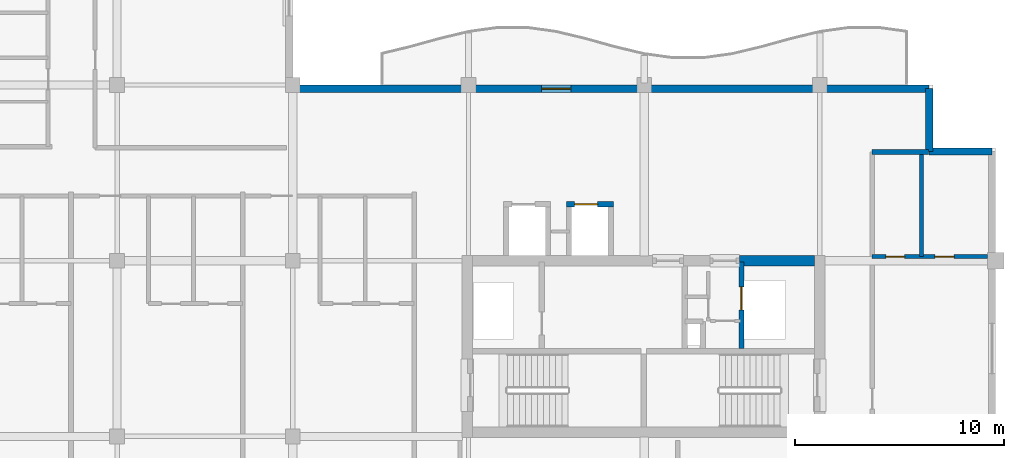
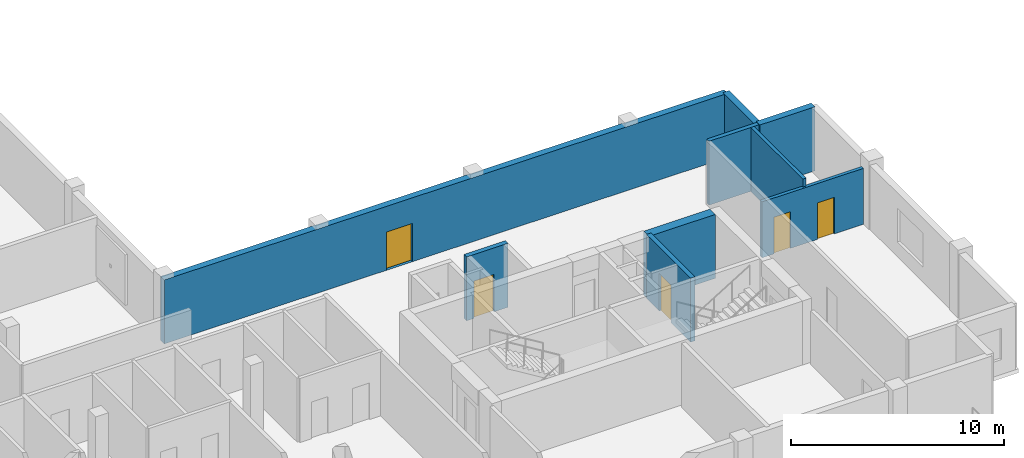
# One storey, part 5 of 11: 9 walls, 5 doors, 5 openings.
"""IFC4 building model written with IfcOpenShell, lengths in metres."""

from ifc_helpers import new_model, si_unit, direction, frame, frame_2d, origin, place, context, subcontext, project, spatial, rectangle, extrude, material, layer, layer_set, type_object, element, fill, save


model = new_model("IFC4")

# Units and contexts
model_context = context("Model", 3, precision=1e-05, world=origin(), true_north=direction((0.0, 1.0)))
body_context = subcontext(model_context, "Body", "Model", "MODEL_VIEW")
ifc_project = project(units=[si_unit("LENGTHUNIT", "METRE"), si_unit("AREAUNIT", "SQUARE_METRE"), si_unit("VOLUMEUNIT", "CUBIC_METRE"), si_unit("PLANEANGLEUNIT", "RADIAN"), si_unit("MASSUNIT", "GRAM", prefix="KILO")], contexts=[model_context])

# Site, building, storey
site_placement = place(None, origin())
site = spatial("IfcSite", under=ifc_project, at=site_placement, CompositionType="ELEMENT")
building_placement = place(site_placement, origin())
building = spatial("IfcBuilding", under=site, at=building_placement, Name="Koriwani Terraces Tower", CompositionType="ELEMENT")
storey_placement = place(building_placement, frame((0.0, 0.0, 312.5)))
storey = spatial("IfcBuildingStorey", under=building, at=storey_placement, Name="L77", CompositionType="ELEMENT", Elevation=312.5)

# Walls
ifc_material_1 = material(Name="Concrete C50/60", Category="concrete")
ifc_layer_1 = layer(ifc_material_1, 0.5, Name="Concrete C50/60")
ifc_layer_set_1 = layer_set([ifc_layer_1], Name="Concrete C50/60")
wall_type_1 = type_object("IfcWallType", Name="WALL_CORE_RC_500", PredefinedType="SHEAR", material=ifc_layer_set_1)
wall_1_placement = place(storey_placement, frame((54.949951171875, 25.199951171875, 0.0), z_axis=(0.0, 0.0, 1.0), x_axis=(1.0, 0.0, 0.0)))
element("IfcWall", 1, at=wall_1_placement, inside=storey, type_object=wall_type_1, Name="L77 East Split Core Shear Wall N3", PredefinedType="SHEAR", context=body_context, shape_type="SweptSolid", body=[
    extrude(rectangle(XDim=3.60009765625, YDim=0.5, at=frame_2d((1.800048828125, 0.0))), origin(), (0.0, 0.0, 1.0), 3.669921875),
])
ifc_material_2 = material(Name="Autoclaved Cellular Concrete Blockwork", Category="masonry")
ifc_layer_2 = layer(ifc_material_2, 0.219970703125, Name="Autoclaved Cellular Concrete Blockwork")
ifc_layer_set_2 = layer_set([ifc_layer_2], Name="Autoclaved Cellular Concrete Blockwork")
wall_type_2 = type_object("IfcWallType", Name="WALL_DEMISING_220", PredefinedType="PARTITIONING", material=ifc_layer_set_2)
wall_2_placement = place(storey_placement, frame((61.300048828125, 30.39990234375, 0.0), z_axis=(0.0, 0.0, 1.0), x_axis=(1.0, 0.0, 0.0)))
element("IfcWall", 2, at=wall_2_placement, inside=storey, type_object=wall_type_2, Name="L77 Interior Wall WET-N-L77", PredefinedType="PARTITIONING", context=body_context, shape_type="SweptSolid", body=[
    extrude(rectangle(XDim=2.699951171875, YDim=0.219970703125, at=frame_2d((1.35009765625, 0.0))), origin(), (0.0, 0.0, 1.0), 3.669921875),
])

# Wall, opening, door
ifc_layer_3 = layer(ifc_material_1, 0.35009765625, Name="Concrete C50/60")
ifc_layer_set_3 = layer_set([ifc_layer_3], Name="Concrete C50/60")
wall_type_3 = type_object("IfcWallType", Name="WALL_EXT_BRUTALIST_350", PredefinedType="STANDARD", material=ifc_layer_set_3)
wall_3_placement = place(storey_placement, frame((33.425048828125, 33.425048828125, 0.0), z_axis=(0.0, 0.0, 1.0), x_axis=(1.0, 0.0, 0.0)))
wall_3 = element("IfcWall", 3, at=wall_3_placement, inside=storey, type_object=wall_type_3, Name="L77 Fair-Faced Brutalist Exterior Wall (NE)", PredefinedType="STANDARD", context=body_context, shape_type="SweptSolid", body=[
    extrude(rectangle(XDim=30.599853515625, YDim=0.35009765625, at=frame_2d((15.2998046875, 0.0))), origin(), (0.0, 0.0, 1.0), 3.669921875),
])
opening_1_placement = place(wall_3_placement, frame((12.074951171875, 0.0, 0.0)))
opening_1 = element("IfcOpeningElement", 4, at=opening_1_placement, cuts=wall_3, Name="Opening D-09", PredefinedType="OPENING", context=body_context, shape_type="SweptSolid", body=[
    extrude(rectangle(XDim=1.39990234375, YDim=2.199951171875, at=frame_2d((0.699951171875, 1.10009765625))), frame((0.0, 0.18505859375, 0.0), z_axis=(0.0, -1.0, 0.0), x_axis=(1.0, 0.0, 0.0)), (0.0, 0.0, 1.0), 0.3701171875),
])
ifc_material_3 = material(Name="Anodised Bronze Aluminium", Category="aluminium")
door_type_1 = type_object("IfcDoorType", Name="DOOR_BALCONY_GLAZED_1400X2200", OperationType="NOTDEFINED", PredefinedType="DOOR", material=ifc_material_3)
door_1_placement = place(opening_1_placement, origin())
door_1 = element("IfcDoor", 5, at=door_1_placement, inside=storey, type_object=door_type_1, Name="L77 Inner Court Balcony Glazed Door", OperationType="SINGLE_SWING_LEFT", OverallHeight=2.199951171875, OverallWidth=1.39990234375, PredefinedType="DOOR", context=body_context, shape_type="SweptSolid", body=[
    extrude(rectangle(XDim=1.39990234375, YDim=2.199951171875, at=frame_2d((0.699951171875, 1.10009765625))), frame((0.0, 0.02490234375, 0.0), z_axis=(0.0, -1.0, 0.0), x_axis=(1.0, 0.0, 0.0)), (0.0, 0.0, 1.0), 0.050048828125),
])
fill(opening_1, door_1)

# Walls
for number, where, z_axis, x_axis, name in (
    (6, (64.02490234375, 33.425048828125, 0.0), (0.0, 0.0, 1.0), (0.0, -1.0, 0.0), "L77 Fair-Faced Brutalist Exterior Wall (N10)"),
    (7, (64.02490234375, 30.425048828125, 0.0), (0.0, 0.0, 1.0), (1.0, 0.0, 0.0), "L77 Fair-Faced Brutalist Exterior Wall (N11)"),
):
    element("IfcWall", number, at=place(storey_placement, frame(where, z_axis=z_axis, x_axis=x_axis)), inside=storey, type_object=wall_type_3, Name=name, PredefinedType="STANDARD", context=body_context, shape_type="SweptSolid", body=[
        extrude(rectangle(XDim=3.0, YDim=0.35009765625, at=frame_2d((1.5, 0.0))), origin(), (0.0, 0.0, 1.0), 3.669921875),
    ])

# Wall, openings, doors
ifc_material_4 = material(Name="Fire-Rated Acoustic Gypsum Partition", Category="masonry")
ifc_layer_4 = layer(ifc_material_4, 0.179931640625, Name="Fire-Rated Acoustic Gypsum Partition")
ifc_layer_set_4 = layer_set([ifc_layer_4], Name="Fire-Rated Acoustic Gypsum Partition")
wall_type_4 = type_object("IfcWallType", Name="WALL_PLUMBING_180", PredefinedType="PLUMBINGWALL", material=ifc_layer_set_4)
wall_4_placement = place(storey_placement, frame((61.300048828125, 25.39990234375, 0.0), z_axis=(0.0, 0.0, 1.0), x_axis=(1.0, 0.0, 0.0)))
wall_4 = element("IfcWall", 8, at=wall_4_placement, inside=storey, type_object=wall_type_4, Name="L77 Interior Wall WET-SVB-L77", PredefinedType="PLUMBINGWALL", context=body_context, shape_type="SweptSolid", body=[
    extrude(rectangle(XDim=5.5, YDim=0.179931640625, at=frame_2d((2.75, 0.0))), origin(), (0.0, 0.0, 1.0), 3.20703125),
])
opening_2_placement = place(wall_4_placement, frame((0.64990234375, 0.0, 0.0)))
opening_2 = element("IfcOpeningElement", 9, at=opening_2_placement, cuts=wall_4, Name="Opening D-07", PredefinedType="OPENING", context=body_context, shape_type="SweptSolid", body=[
    extrude(rectangle(XDim=0.89990234375, YDim=2.10009765625, at=frame_2d((0.449951171875, 1.050048828125))), frame((0.0, 0.10009765625, 0.0), z_axis=(0.0, -1.0, 0.0), x_axis=(1.0, 0.0, 0.0)), (0.0, 0.0, 1.0), 0.199951171875),
])
opening_3_placement = place(wall_4_placement, frame((3.0, 0.0, 0.0)))
opening_3 = element("IfcOpeningElement", 10, at=opening_3_placement, cuts=wall_4, Name="Opening D-06", PredefinedType="OPENING", context=body_context, shape_type="SweptSolid", body=[
    extrude(rectangle(XDim=0.919921875, YDim=2.10009765625, at=frame_2d((0.4599609375, 1.050048828125))), frame((0.0, 0.10009765625, 0.0), z_axis=(0.0, -1.0, 0.0), x_axis=(1.0, 0.0, 0.0)), (0.0, 0.0, 1.0), 0.199951171875),
])
ifc_material_5 = material(Name="Architectural Oak Fire Door", Category="wood")
door_type_2 = type_object("IfcDoorType", Name="DOOR_BATH_INT_900X2100", OperationType="NOTDEFINED", PredefinedType="DOOR", material=ifc_material_5)
door_2_placement = place(opening_2_placement, origin())
door_2 = element("IfcDoor", 11, at=door_2_placement, inside=storey, type_object=door_type_2, Name="Apartment 77ET Bathroom Door", OperationType="SINGLE_SWING_LEFT", OverallHeight=2.10009765625, OverallWidth=0.89990234375, PredefinedType="DOOR", context=body_context, shape_type="SweptSolid", body=[
    extrude(rectangle(XDim=0.89990234375, YDim=2.10009765625, at=frame_2d((0.449951171875, 1.050048828125))), frame((0.0, 0.02490234375, 0.0), z_axis=(0.0, -1.0, 0.0), x_axis=(1.0, 0.0, 0.0)), (0.0, 0.0, 1.0), 0.050048828125),
])
fill(opening_2, door_2)
door_type_3 = type_object("IfcDoorType", Name="DOOR_ROOM_INT_920X2100", OperationType="NOTDEFINED", PredefinedType="DOOR", material=ifc_material_5)
door_3_placement = place(opening_3_placement, origin())
door_3 = element("IfcDoor", 12, at=door_3_placement, inside=storey, type_object=door_type_3, Name="Apartment 77ET Kitchen Door", OperationType="SINGLE_SWING_RIGHT", OverallHeight=2.10009765625, OverallWidth=0.919921875, PredefinedType="DOOR", context=body_context, shape_type="SweptSolid", body=[
    extrude(rectangle(XDim=0.919921875, YDim=2.10009765625, at=frame_2d((0.4599609375, 1.050048828125))), frame((0.0, 0.02490234375, 0.0), z_axis=(0.0, -1.0, 0.0), x_axis=(1.0, 0.0, 0.0)), (0.0, 0.0, 1.0), 0.050048828125),
])
fill(opening_3, door_3)

# Wall
wall_5_placement = place(storey_placement, frame((63.64990234375, 25.39990234375, 0.0), z_axis=(0.0, 0.0, 1.0), x_axis=(0.0, 1.0, 0.0)))
element("IfcWall", 13, at=wall_5_placement, inside=storey, type_object=wall_type_4, Name="L77 Interior Wall WET-SVCM-L77", PredefinedType="PLUMBINGWALL", context=body_context, shape_type="SweptSolid", body=[
    extrude(rectangle(XDim=5.0, YDim=0.179931640625, at=frame_2d((2.5, 0.0))), origin(), (0.0, 0.0, 1.0), 3.669921875),
])

# Wall, opening, door
ifc_material_6 = material(Name="Concrete C40/50", Category="concrete")
ifc_layer_5 = layer(ifc_material_6, 0.25, Name="Concrete C40/50")
ifc_layer_set_5 = layer_set([ifc_layer_5], Name="Concrete C40/50")
wall_type_5 = type_object("IfcWallType", Name="WALL_SHAFT_RATED_250", PredefinedType="SOLIDWALL", material=ifc_layer_set_5)
wall_6_placement = place(storey_placement, frame((55.050048828125, 21.0, 0.0), z_axis=(0.0, 0.0, 1.0), x_axis=(0.0, 1.0, 0.0)))
wall_6 = element("IfcWall", 14, at=wall_6_placement, inside=storey, type_object=wall_type_5, Name="L77 Interior Wall WIN-CE-L77-SE", PredefinedType="SOLIDWALL", context=body_context, shape_type="SweptSolid", body=[
    extrude(rectangle(XDim=4.14990234375, YDim=0.25, at=frame_2d((2.074951171875, 0.0))), origin(), (0.0, 0.0, 1.0), 3.669921875),
])
opening_4_placement = place(wall_6_placement, frame((1.85009765625, 0.0, 0.0)))
opening_4 = element("IfcOpeningElement", 15, at=opening_4_placement, cuts=wall_6, Name="Opening LD-01", PredefinedType="OPENING", context=body_context, shape_type="SweptSolid", body=[
    extrude(rectangle(XDim=1.10009765625, YDim=2.14990234375, at=frame_2d((0.550048828125, 1.074951171875))), frame((0.0, 0.135009765625, 0.0), z_axis=(0.0, -1.0, 0.0), x_axis=(1.0, 0.0, 0.0)), (0.0, 0.0, 1.0), 0.27001953125),
])
ifc_material_7 = material(Name="Steel ASTM A572 Grade 50", Category="steel")
door_type_4 = type_object("IfcDoorType", Name="DOOR_LIFT_LANDING_1100X2200", OperationType="NOTDEFINED", PredefinedType="DOOR", material=ifc_material_7)
door_4_placement = place(opening_4_placement, origin())
door_4 = element("IfcDoor", 16, at=door_4_placement, inside=storey, type_object=door_type_4, Name="L77 Goods Lift SE-02 Landing Door", OperationType="SLIDING_TO_LEFT", OverallHeight=2.14990234375, OverallWidth=1.10009765625, PredefinedType="DOOR", context=body_context, shape_type="SweptSolid", body=[
    extrude(rectangle(XDim=1.10009765625, YDim=2.14990234375, at=frame_2d((0.550048828125, 1.074951171875))), frame((0.0, 0.02490234375, 0.0), z_axis=(0.0, -1.0, 0.0), x_axis=(1.0, 0.0, 0.0)), (0.0, 0.0, 1.0), 0.050048828125),
])
fill(opening_4, door_4)

wall_7_placement = place(storey_placement, frame((46.675048828125, 27.89990234375, 0.0), z_axis=(0.0, 0.0, 1.0), x_axis=(1.0, 0.0, 0.0)))
wall_7 = element("IfcWall", 17, at=wall_7_placement, inside=storey, type_object=wall_type_5, Name="L77 Interior Wall WIN-LF-PE-H4-L77-F", PredefinedType="SOLIDWALL", context=body_context, shape_type="SweptSolid", body=[
    extrude(rectangle(XDim=2.25, YDim=0.25, at=frame_2d((1.125, 0.0))), origin(), (0.0, 0.0, 1.0), 3.669921875),
])
opening_5_placement = place(wall_7_placement, frame((0.39990234375, 0.0, 0.0)))
opening_5 = element("IfcOpeningElement", 18, at=opening_5_placement, cuts=wall_7, Name="Opening LD-01", PredefinedType="OPENING", context=body_context, shape_type="SweptSolid", body=[
    extrude(rectangle(XDim=1.10009765625, YDim=2.14990234375, at=frame_2d((0.550048828125, 1.074951171875))), frame((0.0, 0.135009765625, 0.0), z_axis=(0.0, -1.0, 0.0), x_axis=(1.0, 0.0, 0.0)), (0.0, 0.0, 1.0), 0.27001953125),
])
door_5_placement = place(opening_5_placement, origin())
door_5 = element("IfcDoor", 19, at=door_5_placement, inside=storey, type_object=door_type_4, Name="L77 Passenger Lift PE-H4 Landing Door", OperationType="SLIDING_TO_LEFT", OverallHeight=2.14990234375, OverallWidth=1.10009765625, PredefinedType="DOOR", context=body_context, shape_type="SweptSolid", body=[
    extrude(rectangle(XDim=1.10009765625, YDim=2.14990234375, at=frame_2d((0.550048828125, 1.074951171875))), frame((0.0, 0.02490234375, 0.0), z_axis=(0.0, -1.0, 0.0), x_axis=(1.0, 0.0, 0.0)), (0.0, 0.0, 1.0), 0.050048828125),
])
fill(opening_5, door_5)

save(model, "model.ifc")
